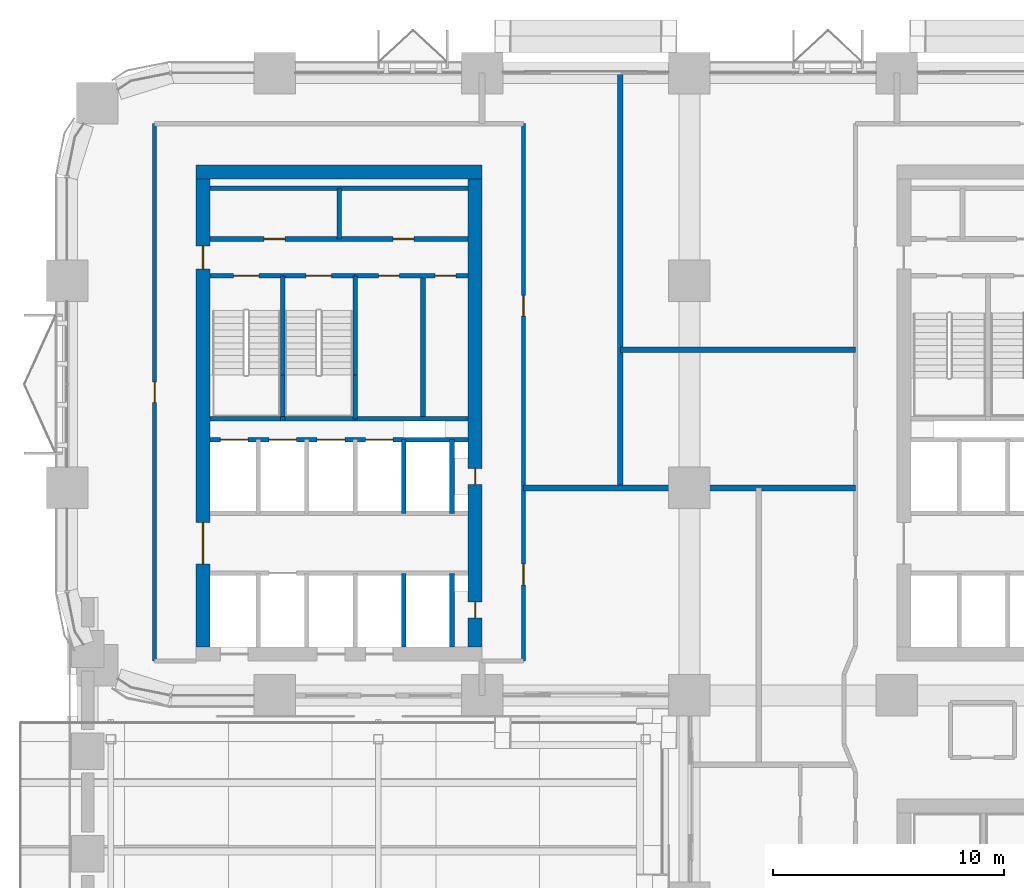
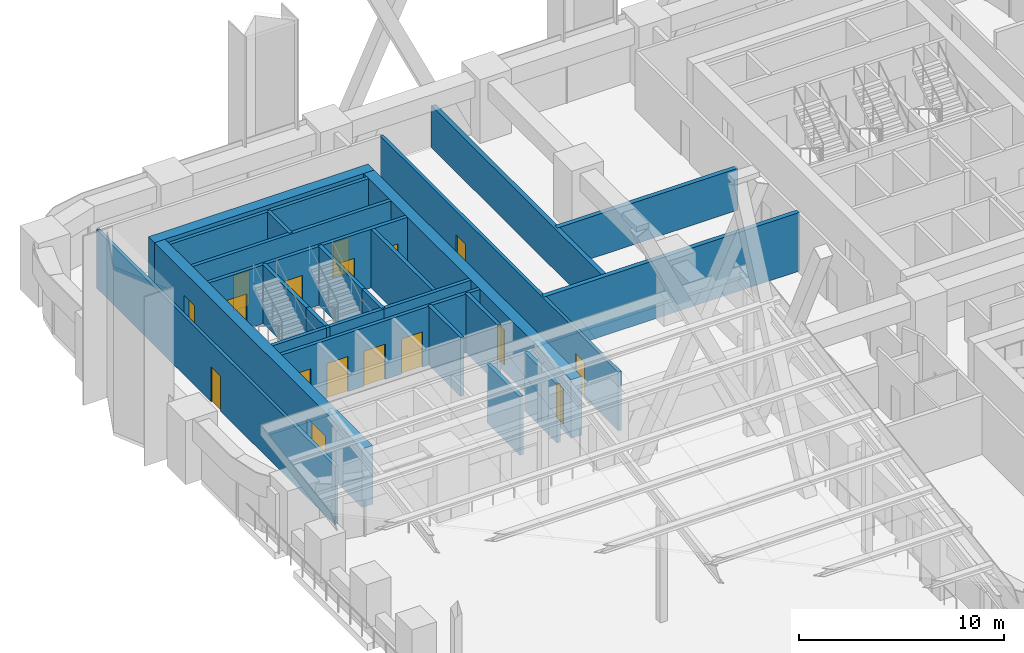
# One storey, part 15 of 22: 27 walls, 17 doors, 17 openings.
"""IFC4 building model written with IfcOpenShell, lengths in metres."""

from ifc_helpers import new_model, si_unit, direction, frame, frame_2d, origin, place, context, subcontext, project, spatial, rectangle, extrude, material, layer, layer_set, type_object, element, fill, save


model = new_model("IFC4")

# Units and contexts
model_context = context("Model", 3, precision=1e-05, world=origin(), true_north=direction((0.0, 1.0)))
body_context = subcontext(model_context, "Body", "Model", "MODEL_VIEW")
ifc_project = project(units=[si_unit("LENGTHUNIT", "METRE"), si_unit("AREAUNIT", "SQUARE_METRE"), si_unit("VOLUMEUNIT", "CUBIC_METRE"), si_unit("PLANEANGLEUNIT", "RADIAN"), si_unit("MASSUNIT", "GRAM", prefix="KILO")], contexts=[model_context])

# Site, building, storey
site_placement = place(None, origin())
site = spatial("IfcSite", under=ifc_project, at=site_placement, CompositionType="ELEMENT")
building_placement = place(site_placement, origin())
building = spatial("IfcBuilding", under=site, at=building_placement, Name="Tessera Arch", CompositionType="ELEMENT")
storey_placement = place(building_placement, frame((0.0, 0.0, 77.800048828125)))
storey = spatial("IfcBuildingStorey", under=building, at=storey_placement, Name="L17", CompositionType="ELEMENT", Elevation=77.800048828125)

# Walls
ifc_material_1 = material(Name="Gypsum board on steel stud", Category="steel")
ifc_layer_1 = layer(ifc_material_1, 0.125)
ifc_layer_set_1 = layer_set([ifc_layer_1], Name="Core partition 125 EI 60")
wall_type_1 = type_object("IfcWallType", Name="Core partition 125 EI 60", PredefinedType="PARTITIONING", material=ifc_layer_set_1)
wall_1_placement = place(storey_placement, frame((11.800048828125, 46.800048828125, 0.0), z_axis=(0.0, 0.0, 1.0), x_axis=(0.0, 1.0, 0.0)))
element("IfcWall", 1, at=wall_1_placement, inside=storey, type_object=wall_type_1, Name="L17 C2 partition wall 7", PredefinedType="PARTITIONING", context=body_context, shape_type="SweptSolid", body=[
    extrude(rectangle(XDim=2.199951171875, YDim=0.199951171875, at=frame_2d((1.10009765625, 0.0))), origin(), (0.0, 0.0, 1.0), 3.5),
])
wall_2_placement = place(storey_placement, frame((15.43994140625, 39.0, 0.0), z_axis=(0.0, 0.0, 1.0), x_axis=(0.0, 1.0, 0.0)))
element("IfcWall", 2, at=wall_2_placement, inside=storey, type_object=wall_type_1, Name="L17 C2 partition wall 14", PredefinedType="PARTITIONING", context=body_context, shape_type="SweptSolid", body=[
    extrude(rectangle(XDim=6.199951171875, YDim=0.199951171875, at=frame_2d((3.10009765625, 0.0))), origin(), (0.0, 0.0, 1.0), 3.5),
])

# Wall, openings, doors
wall_3_placement = place(storey_placement, frame((12.5, 45.199951171875, 0.0), z_axis=(0.0, 0.0, 1.0), x_axis=(1.0, 0.0, 0.0)))
wall_3 = element("IfcWall", 3, at=wall_3_placement, inside=storey, type_object=wall_type_1, Name="L17 C2 partition wall 24", PredefinedType="PARTITIONING", context=body_context, shape_type="SweptSolid", body=[
    extrude(rectangle(XDim=4.89990234375, YDim=0.199951171875, at=frame_2d((2.449951171875, 0.0))), origin(), (0.0, 0.0, 1.0), 3.5),
])
opening_1_placement = place(wall_3_placement, frame((1.02001953125, 0.0, 0.0)))
opening_1 = element("IfcOpeningElement", 4, at=opening_1_placement, cuts=wall_3, Name="Opening L17-C31", PredefinedType="OPENING", context=body_context, shape_type="SweptSolid", body=[
    extrude(rectangle(XDim=0.89990234375, YDim=2.10009765625, at=frame_2d((0.449951171875, 1.050048828125))), frame((0.0, 0.10986328125, 0.0), z_axis=(0.0, -1.0, 0.0), x_axis=(1.0, 0.0, 0.0)), (0.0, 0.0, 1.0), 0.219970703125),
])
opening_2_placement = place(wall_3_placement, frame((3.469970703125, 0.0, 0.0)))
opening_2 = element("IfcOpeningElement", 5, at=opening_2_placement, cuts=wall_3, Name="Opening L17-C32", PredefinedType="OPENING", context=body_context, shape_type="SweptSolid", body=[
    extrude(rectangle(XDim=0.89990234375, YDim=2.10009765625, at=frame_2d((0.449951171875, 1.050048828125))), frame((0.0, 0.10986328125, 0.0), z_axis=(0.0, -1.0, 0.0), x_axis=(1.0, 0.0, 0.0)), (0.0, 0.0, 1.0), 0.219970703125),
])
ifc_material_2 = material(Name="Steel door leaf", Category="steel")
door_type_1 = type_object("IfcDoorType", Name="Store door FD30S 900 x 2100", OperationType="SINGLE_SWING_LEFT", PredefinedType="DOOR", material=ifc_material_2)
door_1_placement = place(opening_1_placement, origin())
door_1 = element("IfcDoor", 6, at=door_1_placement, inside=storey, type_object=door_type_1, Name="L17 C2 door 17 C31 type D09", OperationType="SINGLE_SWING_LEFT", OverallHeight=2.10009765625, OverallWidth=0.89990234375, PredefinedType="DOOR", context=body_context, shape_type="SweptSolid", body=[
    extrude(rectangle(XDim=0.89990234375, YDim=2.10009765625, at=frame_2d((0.449951171875, 1.050048828125))), frame((0.0, 0.02490234375, 0.0), z_axis=(0.0, -1.0, 0.0), x_axis=(1.0, 0.0, 0.0)), (0.0, 0.0, 1.0), 0.050048828125),
])
fill(opening_1, door_1)
door_2_placement = place(opening_2_placement, origin())
door_2 = element("IfcDoor", 7, at=door_2_placement, inside=storey, type_object=door_type_1, Name="L17 C2 door 18 C32 type D09", OperationType="SINGLE_SWING_RIGHT", OverallHeight=2.10009765625, OverallWidth=0.89990234375, PredefinedType="DOOR", context=body_context, shape_type="SweptSolid", body=[
    extrude(rectangle(XDim=0.89990234375, YDim=2.10009765625, at=frame_2d((0.449951171875, 1.050048828125))), frame((0.0, 0.02490234375, 0.0), z_axis=(0.0, -1.0, 0.0), x_axis=(1.0, 0.0, 0.0)), (0.0, 0.0, 1.0), 0.050048828125),
])
fill(opening_2, door_2)

wall_4_placement = place(storey_placement, frame((6.199951171875, 46.800048828125, 0.0), z_axis=(0.0, 0.0, 1.0), x_axis=(1.0, 0.0, 0.0)))
wall_4 = element("IfcWall", 8, at=wall_4_placement, inside=storey, type_object=wall_type_1, Name="L17 C2 partition wall 26", PredefinedType="PARTITIONING", context=body_context, shape_type="SweptSolid", body=[
    extrude(rectangle(XDim=11.199951171875, YDim=0.199951171875, at=frame_2d((5.60009765625, 0.0))), origin(), (0.0, 0.0, 1.0), 3.5),
])
opening_3_placement = place(wall_4_placement, frame((2.35009765625, 0.0, 0.0)))
opening_3 = element("IfcOpeningElement", 9, at=opening_3_placement, cuts=wall_4, Name="Opening L17-C29", PredefinedType="OPENING", context=body_context, shape_type="SweptSolid", body=[
    extrude(rectangle(XDim=0.89990234375, YDim=2.10009765625, at=frame_2d((0.449951171875, 1.050048828125))), frame((0.0, 0.10986328125, 0.0), z_axis=(0.0, -1.0, 0.0), x_axis=(1.0, 0.0, 0.0)), (0.0, 0.0, 1.0), 0.219970703125),
])
opening_4_placement = place(wall_4_placement, frame((7.949951171875, 0.0, 0.0)))
opening_4 = element("IfcOpeningElement", 10, at=opening_4_placement, cuts=wall_4, Name="Opening L17-C30", PredefinedType="OPENING", context=body_context, shape_type="SweptSolid", body=[
    extrude(rectangle(XDim=0.89990234375, YDim=2.10009765625, at=frame_2d((0.449951171875, 1.050048828125))), frame((0.0, 0.10986328125, 0.0), z_axis=(0.0, -1.0, 0.0), x_axis=(1.0, 0.0, 0.0)), (0.0, 0.0, 1.0), 0.219970703125),
])
door_3_placement = place(opening_3_placement, origin())
door_3 = element("IfcDoor", 11, at=door_3_placement, inside=storey, type_object=door_type_1, Name="L17 C2 door 15 C29 type D09", OperationType="SINGLE_SWING_LEFT", OverallHeight=2.10009765625, OverallWidth=0.89990234375, PredefinedType="DOOR", context=body_context, shape_type="SweptSolid", body=[
    extrude(rectangle(XDim=0.89990234375, YDim=2.10009765625, at=frame_2d((0.449951171875, 1.050048828125))), frame((0.0, 0.02490234375, 0.0), z_axis=(0.0, -1.0, 0.0), x_axis=(1.0, 0.0, 0.0)), (0.0, 0.0, 1.0), 0.050048828125),
])
fill(opening_3, door_3)
door_4_placement = place(opening_4_placement, origin())
door_4 = element("IfcDoor", 12, at=door_4_placement, inside=storey, type_object=door_type_1, Name="L17 C2 door 16 C30 type D09", OperationType="SINGLE_SWING_RIGHT", OverallHeight=2.10009765625, OverallWidth=0.89990234375, PredefinedType="DOOR", context=body_context, shape_type="SweptSolid", body=[
    extrude(rectangle(XDim=0.89990234375, YDim=2.10009765625, at=frame_2d((0.449951171875, 1.050048828125))), frame((0.0, 0.02490234375, 0.0), z_axis=(0.0, -1.0, 0.0), x_axis=(1.0, 0.0, 0.0)), (0.0, 0.0, 1.0), 0.050048828125),
])
fill(opening_4, door_4)

# Walls
wall_5_placement = place(storey_placement, frame((6.199951171875, 49.0, 0.0), z_axis=(0.0, 0.0, 1.0), x_axis=(1.0, 0.0, 0.0)))
element("IfcWall", 13, at=wall_5_placement, inside=storey, type_object=wall_type_1, Name="L17 C2 partition wall 27", PredefinedType="PARTITIONING", context=body_context, shape_type="SweptSolid", body=[
    extrude(rectangle(XDim=11.199951171875, YDim=0.199951171875, at=frame_2d((5.60009765625, 0.0))), origin(), (0.0, 0.0, 1.0), 3.5),
])
ifc_material_3 = material(Name="Concrete C70/85", Category="concrete")
ifc_layer_2 = layer(ifc_material_3, 0.60009765625)
ifc_layer_set_2 = layer_set([ifc_layer_2], Name="Core shell wall 600 C70-85")
wall_type_2 = type_object("IfcWallType", Name="Core shell wall 600 C70-85", PredefinedType="SHEAR", material=ifc_layer_set_2)
wall_6_placement = place(storey_placement, frame((5.60009765625, 49.699951171875, 0.0), z_axis=(0.0, 0.0, 1.0), x_axis=(1.0, 0.0, 0.0)))
element("IfcWall", 14, at=wall_6_placement, inside=storey, type_object=wall_type_2, Name="L17 C2 core wall N", PredefinedType="SHEAR", context=body_context, shape_type="SweptSolid", body=[
    extrude(rectangle(XDim=12.39990234375, YDim=0.60009765625, at=frame_2d((6.199951171875, 0.0))), origin(), (0.0, 0.0, 1.0), 3.5),
])

# Wall, openings, doors
wall_7_placement = place(storey_placement, frame((5.89990234375, 29.10009765625, 0.0), z_axis=(0.0, 0.0, 1.0), x_axis=(0.0, 1.0, 0.0)))
wall_7 = element("IfcWall", 15, at=wall_7_placement, inside=storey, type_object=wall_type_2, Name="L17 C2 core wall W", PredefinedType="SHEAR", context=body_context, shape_type="SweptSolid", body=[
    extrude(rectangle(XDim=20.2998046875, YDim=0.60009765625, at=frame_2d((10.14990234375, 0.0))), origin(), (0.0, 0.0, 1.0), 3.5),
])
opening_5_placement = place(wall_7_placement, frame((3.60009765625, 0.0, 0.0)))
opening_5 = element("IfcOpeningElement", 16, at=opening_5_placement, cuts=wall_7, Name="Opening L17-C25", PredefinedType="OPENING", context=body_context, shape_type="SweptSolid", body=[
    extrude(rectangle(XDim=1.800048828125, YDim=2.10009765625, at=frame_2d((0.89990234375, 1.050048828125))), frame((0.0, 0.31005859375, 0.0), z_axis=(0.0, -1.0, 0.0), x_axis=(1.0, 0.0, 0.0)), (0.0, 0.0, 1.0), 0.6201171875),
])
opening_6_placement = place(wall_7_placement, frame((16.39990234375, 0.0, 0.0)))
opening_6 = element("IfcOpeningElement", 17, at=opening_6_placement, cuts=wall_7, Name="Opening L17-C28", PredefinedType="OPENING", context=body_context, shape_type="SweptSolid", body=[
    extrude(rectangle(XDim=1.0, YDim=2.10009765625, at=frame_2d((0.5, 1.050048828125))), frame((0.0, 0.31005859375, 0.0), z_axis=(0.0, -1.0, 0.0), x_axis=(1.0, 0.0, 0.0)), (0.0, 0.0, 1.0), 0.6201171875),
])
ifc_material_4 = material(Name="Steel door leaf", Category="steel")
door_type_2 = type_object("IfcDoorType", Name="Corridor door FD60 1000 x 2100", OperationType="SINGLE_SWING_LEFT", PredefinedType="DOOR", material=ifc_material_4)
door_5_placement = place(opening_6_placement, origin())
door_5 = element("IfcDoor", 18, at=door_5_placement, inside=storey, type_object=door_type_2, Name="L17 C2 door 14 C28 type D12", OperationType="SINGLE_SWING_RIGHT", OverallHeight=2.10009765625, OverallWidth=1.0, PredefinedType="DOOR", context=body_context, shape_type="SweptSolid", body=[
    extrude(rectangle(XDim=1.0, YDim=2.10009765625, at=frame_2d((0.5, 1.050048828125))), frame((0.0, 0.02490234375, 0.0), z_axis=(0.0, -1.0, 0.0), x_axis=(1.0, 0.0, 0.0)), (0.0, 0.0, 1.0), 0.050048828125),
])
fill(opening_6, door_5)
ifc_material_5 = material(Name="Glazed steel door leaf", Category="steel")
door_type_3 = type_object("IfcDoorType", Name="Lobby double door FD30S 1800 x 2100", OperationType="DOUBLE_DOOR_SINGLE_SWING", PredefinedType="DOOR", material=ifc_material_5)
door_6_placement = place(opening_5_placement, origin())
door_6 = element("IfcDoor", 19, at=door_6_placement, inside=storey, type_object=door_type_3, Name="L17 C2 door 11 C25 type D06", OperationType="DOUBLE_DOOR_SINGLE_SWING", OverallHeight=2.10009765625, OverallWidth=1.800048828125, PredefinedType="DOOR", context=body_context, shape_type="SweptSolid", body=[
    extrude(rectangle(XDim=1.800048828125, YDim=2.10009765625, at=frame_2d((0.89990234375, 1.050048828125))), frame((0.0, 0.02490234375, 0.0), z_axis=(0.0, -1.0, 0.0), x_axis=(1.0, 0.0, 0.0)), (0.0, 0.0, 1.0), 0.050048828125),
])
fill(opening_5, door_6)

wall_8_placement = place(storey_placement, frame((17.699951171875, 29.10009765625, 0.0), z_axis=(0.0, 0.0, 1.0), x_axis=(0.0, 1.0, 0.0)))
wall_8 = element("IfcWall", 20, at=wall_8_placement, inside=storey, type_object=wall_type_2, Name="L17 C2 core wall E", PredefinedType="SHEAR", context=body_context, shape_type="SweptSolid", body=[
    extrude(rectangle(XDim=20.2998046875, YDim=0.60009765625, at=frame_2d((10.14990234375, 0.0))), origin(), (0.0, 0.0, 1.0), 3.5),
])
opening_7_placement = place(wall_8_placement, frame((1.25, 0.0, 0.0)))
opening_7 = element("IfcOpeningElement", 21, at=opening_7_placement, cuts=wall_8, Name="Opening L17-C23", PredefinedType="OPENING", context=body_context, shape_type="SweptSolid", body=[
    extrude(rectangle(XDim=0.699951171875, YDim=2.10009765625, at=frame_2d((0.35009765625, 1.050048828125))), frame((0.0, 0.31005859375, 0.0), z_axis=(0.0, -1.0, 0.0), x_axis=(1.0, 0.0, 0.0)), (0.0, 0.0, 1.0), 0.6201171875),
])
opening_8_placement = place(wall_8_placement, frame((7.050048828125, 0.0, 0.0)))
opening_8 = element("IfcOpeningElement", 22, at=opening_8_placement, cuts=wall_8, Name="Opening L17-C24", PredefinedType="OPENING", context=body_context, shape_type="SweptSolid", body=[
    extrude(rectangle(XDim=0.699951171875, YDim=2.10009765625, at=frame_2d((0.35009765625, 1.050048828125))), frame((0.0, 0.31005859375, 0.0), z_axis=(0.0, -1.0, 0.0), x_axis=(1.0, 0.0, 0.0)), (0.0, 0.0, 1.0), 0.6201171875),
])
ifc_material_6 = material(Name="Steel door leaf", Category="steel")
door_type_4 = type_object("IfcDoorType", Name="Service shaft door FD60 700 x 2100", OperationType="SINGLE_SWING_LEFT", PredefinedType="DOOR", material=ifc_material_6)
door_7_placement = place(opening_7_placement, origin())
door_7 = element("IfcDoor", 23, at=door_7_placement, inside=storey, type_object=door_type_4, Name="L17 C2 door 9 C23 type D07", OperationType="SINGLE_SWING_LEFT", OverallHeight=2.10009765625, OverallWidth=0.699951171875, PredefinedType="DOOR", context=body_context, shape_type="SweptSolid", body=[
    extrude(rectangle(XDim=0.699951171875, YDim=2.10009765625, at=frame_2d((0.35009765625, 1.050048828125))), frame((0.0, 0.02490234375, 0.0), z_axis=(0.0, -1.0, 0.0), x_axis=(1.0, 0.0, 0.0)), (0.0, 0.0, 1.0), 0.050048828125),
])
fill(opening_7, door_7)
door_8_placement = place(opening_8_placement, origin())
door_8 = element("IfcDoor", 24, at=door_8_placement, inside=storey, type_object=door_type_4, Name="L17 C2 door 10 C24 type D07", OperationType="SINGLE_SWING_LEFT", OverallHeight=2.10009765625, OverallWidth=0.699951171875, PredefinedType="DOOR", context=body_context, shape_type="SweptSolid", body=[
    extrude(rectangle(XDim=0.699951171875, YDim=2.10009765625, at=frame_2d((0.35009765625, 1.050048828125))), frame((0.0, 0.02490234375, 0.0), z_axis=(0.0, -1.0, 0.0), x_axis=(1.0, 0.0, 0.0)), (0.0, 0.0, 1.0), 0.050048828125),
])
fill(opening_8, door_8)

# Wall, opening, door
ifc_material_7 = material(Name="Gypsum board on deep steel stud with mineral wool", Category="steel")
ifc_layer_3 = layer(ifc_material_7, 0.175048828125)
ifc_layer_set_3 = layer_set([ifc_layer_3], Name="Corridor wall 175 EI 60")
wall_type_3 = type_object("IfcWallType", Name="Corridor wall 175 EI 60", PredefinedType="PARTITIONING", material=ifc_layer_set_3)
wall_9_placement = place(storey_placement, frame((3.800048828125, 28.5, 0.0), z_axis=(0.0, 0.0, 1.0), x_axis=(0.0, 1.0, 0.0)))
wall_9 = element("IfcWall", 25, at=wall_9_placement, inside=storey, type_object=wall_type_3, Name="L17 partition 9", PredefinedType="PARTITIONING", context=body_context, shape_type="SweptSolid", body=[
    extrude(rectangle(XDim=23.300048828125, YDim=0.175048828125, at=frame_2d((11.64990234375, 0.0))), origin(), (0.0, 0.0, 1.0), 3.5),
])
opening_9_placement = place(wall_9_placement, frame((11.199951171875, 0.0, 0.0)))
opening_9 = element("IfcOpeningElement", 26, at=opening_9_placement, cuts=wall_9, Name="Opening L17-D012", PredefinedType="OPENING", context=body_context, shape_type="SweptSolid", body=[
    extrude(rectangle(XDim=0.89990234375, YDim=2.10009765625, at=frame_2d((0.449951171875, 1.050048828125))), frame((0.0, 0.097412109375, 0.0), z_axis=(0.0, -1.0, 0.0), x_axis=(1.0, 0.0, 0.0)), (0.0, 0.0, 1.0), 0.195068359375),
])
ifc_material_8 = material(Name="Timber door leaf", Category="wood")
door_type_5 = type_object("IfcDoorType", Name="Room door 900 x 2100", OperationType="SINGLE_SWING_LEFT", PredefinedType="DOOR", material=ifc_material_8)
door_9_placement = place(opening_9_placement, origin())
door_9 = element("IfcDoor", 27, at=door_9_placement, inside=storey, type_object=door_type_5, Name="L17 door D012 type D01", OperationType="SINGLE_SWING_RIGHT", OverallHeight=2.10009765625, OverallWidth=0.89990234375, PredefinedType="DOOR", context=body_context, shape_type="SweptSolid", body=[
    extrude(rectangle(XDim=0.89990234375, YDim=2.10009765625, at=frame_2d((0.449951171875, 1.050048828125))), frame((0.0, 0.02490234375, 0.0), z_axis=(0.0, -1.0, 0.0), x_axis=(1.0, 0.0, 0.0)), (0.0, 0.0, 1.0), 0.050048828125),
])
fill(opening_9, door_9)

# Wall, openings, doors
wall_10_placement = place(storey_placement, frame((19.800048828125, 28.5, 0.0), z_axis=(0.0, 0.0, 1.0), x_axis=(0.0, 1.0, 0.0)))
wall_10 = element("IfcWall", 28, at=wall_10_placement, inside=storey, type_object=wall_type_3, Name="L17 partition 10", PredefinedType="PARTITIONING", context=body_context, shape_type="SweptSolid", body=[
    extrude(rectangle(XDim=23.300048828125, YDim=0.175048828125, at=frame_2d((11.64990234375, 0.0))), origin(), (0.0, 0.0, 1.0), 3.5),
])
opening_10_placement = place(wall_10_placement, frame((3.300048828125, 0.0, 0.0)))
opening_10 = element("IfcOpeningElement", 29, at=opening_10_placement, cuts=wall_10, Name="Opening L17-D009", PredefinedType="OPENING", context=body_context, shape_type="SweptSolid", body=[
    extrude(rectangle(XDim=0.89990234375, YDim=2.10009765625, at=frame_2d((0.449951171875, 1.050048828125))), frame((0.0, 0.097412109375, 0.0), z_axis=(0.0, -1.0, 0.0), x_axis=(1.0, 0.0, 0.0)), (0.0, 0.0, 1.0), 0.195068359375),
])
opening_11_placement = place(wall_10_placement, frame((14.949951171875, 0.0, 0.0)))
opening_11 = element("IfcOpeningElement", 30, at=opening_11_placement, cuts=wall_10, Name="Opening L17-D013", PredefinedType="OPENING", context=body_context, shape_type="SweptSolid", body=[
    extrude(rectangle(XDim=0.89990234375, YDim=2.10009765625, at=frame_2d((0.449951171875, 1.050048828125))), frame((0.0, 0.097412109375, 0.0), z_axis=(0.0, -1.0, 0.0), x_axis=(1.0, 0.0, 0.0)), (0.0, 0.0, 1.0), 0.195068359375),
])
door_10_placement = place(opening_10_placement, origin())
door_10 = element("IfcDoor", 31, at=door_10_placement, inside=storey, type_object=door_type_5, Name="L17 door D009 type D01", OperationType="SINGLE_SWING_RIGHT", OverallHeight=2.10009765625, OverallWidth=0.89990234375, PredefinedType="DOOR", context=body_context, shape_type="SweptSolid", body=[
    extrude(rectangle(XDim=0.89990234375, YDim=2.10009765625, at=frame_2d((0.449951171875, 1.050048828125))), frame((0.0, 0.02490234375, 0.0), z_axis=(0.0, -1.0, 0.0), x_axis=(1.0, 0.0, 0.0)), (0.0, 0.0, 1.0), 0.050048828125),
])
fill(opening_10, door_10)
door_11_placement = place(opening_11_placement, origin())
door_11 = element("IfcDoor", 32, at=door_11_placement, inside=storey, type_object=door_type_5, Name="L17 door D013 type D01", OperationType="SINGLE_SWING_RIGHT", OverallHeight=2.10009765625, OverallWidth=0.89990234375, PredefinedType="DOOR", context=body_context, shape_type="SweptSolid", body=[
    extrude(rectangle(XDim=0.89990234375, YDim=2.10009765625, at=frame_2d((0.449951171875, 1.050048828125))), frame((0.0, 0.02490234375, 0.0), z_axis=(0.0, -1.0, 0.0), x_axis=(1.0, 0.0, 0.0)), (0.0, 0.0, 1.0), 0.050048828125),
])
fill(opening_11, door_11)

# Walls
ifc_material_9 = material(Name="Double gypsum board on twin steel stud with acoustic mineral wool", Category="steel")
ifc_layer_4 = layer(ifc_material_9, 0.25)
ifc_layer_set_4 = layer_set([ifc_layer_4], Name="Party wall 250 EI 60")
wall_type_4 = type_object("IfcWallType", Name="Party wall 250 EI 60", PredefinedType="PARTITIONING", material=ifc_layer_set_4)
wall_11_placement = place(storey_placement, frame((19.800048828125, 36.0, 0.0), z_axis=(0.0, 0.0, 1.0), x_axis=(1.0, 0.0, 0.0)))
element("IfcWall", 33, at=wall_11_placement, inside=storey, type_object=wall_type_4, Name="L17 partition 24", PredefinedType="PARTITIONING", context=body_context, shape_type="SweptSolid", body=[
    extrude(rectangle(XDim=14.39990234375, YDim=0.25, at=frame_2d((7.199951171875, 0.0))), origin(), (0.0, 0.0, 1.0), 3.5),
])
wall_12_placement = place(storey_placement, frame((24.0, 42.0, 0.0), z_axis=(0.0, 0.0, 1.0), x_axis=(1.0, 0.0, 0.0)))
element("IfcWall", 34, at=wall_12_placement, inside=storey, type_object=wall_type_4, Name="L17 partition 25", PredefinedType="PARTITIONING", context=body_context, shape_type="SweptSolid", body=[
    extrude(rectangle(XDim=10.199951171875, YDim=0.25, at=frame_2d((5.10009765625, 0.0))), origin(), (0.0, 0.0, 1.0), 2.5),
])
wall_13_placement = place(storey_placement, frame((24.0, 36.0, 0.0), z_axis=(0.0, 0.0, 1.0), x_axis=(0.0, 1.0, 0.0)))
element("IfcWall", 35, at=wall_13_placement, inside=storey, type_object=wall_type_4, Name="L17 partition 29", PredefinedType="PARTITIONING", context=body_context, shape_type="SweptSolid", body=[
    extrude(rectangle(XDim=18.0, YDim=0.25, at=frame_2d((9.0, 0.0))), origin(), (0.0, 0.0, 1.0), 2.5),
])
ifc_material_10 = material(Name="Concrete C40/50", Category="concrete")
ifc_layer_5 = layer(ifc_material_10, 0.199951171875)
ifc_layer_set_5 = layer_set([ifc_layer_5], Name="Shaft wall 200 EI 120")
wall_type_5 = type_object("IfcWallType", Name="Shaft wall 200 EI 120", PredefinedType="SOLIDWALL", material=ifc_layer_set_5)
wall_14_placement = place(storey_placement, frame((14.60009765625, 29.10009765625, 0.0), z_axis=(0.0, 0.0, 1.0), x_axis=(0.0, 1.0, 0.0)))
element("IfcWall", 36, at=wall_14_placement, inside=storey, type_object=wall_type_5, Name="L17 C2 shaft wall 12", PredefinedType="SOLIDWALL", context=body_context, shape_type="SweptSolid", body=[
    extrude(rectangle(XDim=3.199951171875, YDim=0.199951171875, at=frame_2d((1.60009765625, 0.0))), origin(), (0.0, 0.0, 1.0), 3.5),
])
wall_15_placement = place(storey_placement, frame((14.60009765625, 34.89990234375, 0.0), z_axis=(0.0, 0.0, 1.0), x_axis=(0.0, 1.0, 0.0)))
element("IfcWall", 37, at=wall_15_placement, inside=storey, type_object=wall_type_5, Name="L17 C2 shaft wall 13", PredefinedType="SOLIDWALL", context=body_context, shape_type="SweptSolid", body=[
    extrude(rectangle(XDim=3.2001953125, YDim=0.199951171875, at=frame_2d((1.60009765625, 0.0))), origin(), (0.0, 0.0, 1.0), 3.5),
])
wall_16_placement = place(storey_placement, frame((16.699951171875, 29.10009765625, 0.0), z_axis=(0.0, 0.0, 1.0), x_axis=(0.0, 1.0, 0.0)))
element("IfcWall", 38, at=wall_16_placement, inside=storey, type_object=wall_type_5, Name="L17 C2 shaft wall 15", PredefinedType="SOLIDWALL", context=body_context, shape_type="SweptSolid", body=[
    extrude(rectangle(XDim=3.199951171875, YDim=0.199951171875, at=frame_2d((1.60009765625, 0.0))), origin(), (0.0, 0.0, 1.0), 3.5),
])
wall_17_placement = place(storey_placement, frame((16.699951171875, 34.89990234375, 0.0), z_axis=(0.0, 0.0, 1.0), x_axis=(0.0, 1.0, 0.0)))
element("IfcWall", 39, at=wall_17_placement, inside=storey, type_object=wall_type_5, Name="L17 C2 shaft wall 16", PredefinedType="SOLIDWALL", context=body_context, shape_type="SweptSolid", body=[
    extrude(rectangle(XDim=3.2001953125, YDim=0.199951171875, at=frame_2d((1.60009765625, 0.0))), origin(), (0.0, 0.0, 1.0), 3.5),
])

# Wall, openings, doors
wall_18_placement = place(storey_placement, frame((6.199951171875, 38.10009765625, 0.0), z_axis=(0.0, 0.0, 1.0), x_axis=(1.0, 0.0, 0.0)))
wall_18 = element("IfcWall", 40, at=wall_18_placement, inside=storey, type_object=wall_type_5, Name="L17 C2 shaft wall 19", PredefinedType="SOLIDWALL", context=body_context, shape_type="SweptSolid", body=[
    extrude(rectangle(XDim=11.199951171875, YDim=0.199951171875, at=frame_2d((5.60009765625, 0.0))), origin(), (0.0, 0.0, 1.0), 3.5),
])
opening_12_placement = place(wall_18_placement, frame((0.449951171875, 0.0, 0.0)))
opening_12 = element("IfcOpeningElement", 41, at=opening_12_placement, cuts=wall_18, Name="Opening L17-C19", PredefinedType="OPENING", context=body_context, shape_type="SweptSolid", body=[
    extrude(rectangle(XDim=1.199951171875, YDim=2.10009765625, at=frame_2d((0.60009765625, 1.050048828125))), frame((0.0, 0.10986328125, 0.0), z_axis=(0.0, -1.0, 0.0), x_axis=(1.0, 0.0, 0.0)), (0.0, 0.0, 1.0), 0.219970703125),
])
opening_13_placement = place(wall_18_placement, frame((2.550048828125, 0.0, 0.0)))
opening_13 = element("IfcOpeningElement", 42, at=opening_13_placement, cuts=wall_18, Name="Opening L17-C20", PredefinedType="OPENING", context=body_context, shape_type="SweptSolid", body=[
    extrude(rectangle(XDim=1.199951171875, YDim=2.10009765625, at=frame_2d((0.60009765625, 1.050048828125))), frame((0.0, 0.10986328125, 0.0), z_axis=(0.0, -1.0, 0.0), x_axis=(1.0, 0.0, 0.0)), (0.0, 0.0, 1.0), 0.219970703125),
])
opening_14_placement = place(wall_18_placement, frame((4.64990234375, 0.0, 0.0)))
opening_14 = element("IfcOpeningElement", 43, at=opening_14_placement, cuts=wall_18, Name="Opening L17-C21", PredefinedType="OPENING", context=body_context, shape_type="SweptSolid", body=[
    extrude(rectangle(XDim=1.199951171875, YDim=2.10009765625, at=frame_2d((0.60009765625, 1.050048828125))), frame((0.0, 0.10986328125, 0.0), z_axis=(0.0, -1.0, 0.0), x_axis=(1.0, 0.0, 0.0)), (0.0, 0.0, 1.0), 0.219970703125),
])
opening_15_placement = place(wall_18_placement, frame((6.75, 0.0, 0.0)))
opening_15 = element("IfcOpeningElement", 44, at=opening_15_placement, cuts=wall_18, Name="Opening L17-C22", PredefinedType="OPENING", context=body_context, shape_type="SweptSolid", body=[
    extrude(rectangle(XDim=1.199951171875, YDim=2.10009765625, at=frame_2d((0.60009765625, 1.050048828125))), frame((0.0, 0.10986328125, 0.0), z_axis=(0.0, -1.0, 0.0), x_axis=(1.0, 0.0, 0.0)), (0.0, 0.0, 1.0), 0.219970703125),
])
ifc_material_11 = material(Name="Stainless steel AISI 304", Category="steel")
door_type_6 = type_object("IfcDoorType", Name="Sliding landing door 1200 x 2100", OperationType="SLIDING_TO_LEFT", PredefinedType="DOOR", material=ifc_material_11)
door_12_placement = place(opening_12_placement, origin())
door_12 = element("IfcDoor", 45, at=door_12_placement, inside=storey, type_object=door_type_6, Name="L17 LR5 lift landing door C19 type LD", OperationType="SLIDING_TO_LEFT", OverallHeight=2.10009765625, OverallWidth=1.199951171875, PredefinedType="DOOR", context=body_context, shape_type="SweptSolid", body=[
    extrude(rectangle(XDim=1.199951171875, YDim=2.10009765625, at=frame_2d((0.60009765625, 1.050048828125))), frame((0.0, 0.02490234375, 0.0), z_axis=(0.0, -1.0, 0.0), x_axis=(1.0, 0.0, 0.0)), (0.0, 0.0, 1.0), 0.050048828125),
])
fill(opening_12, door_12)
door_13_placement = place(opening_13_placement, origin())
door_13 = element("IfcDoor", 46, at=door_13_placement, inside=storey, type_object=door_type_6, Name="L17 LR6 lift landing door C20 type LD", OperationType="SLIDING_TO_LEFT", OverallHeight=2.10009765625, OverallWidth=1.199951171875, PredefinedType="DOOR", context=body_context, shape_type="SweptSolid", body=[
    extrude(rectangle(XDim=1.199951171875, YDim=2.10009765625, at=frame_2d((0.60009765625, 1.050048828125))), frame((0.0, 0.02490234375, 0.0), z_axis=(0.0, -1.0, 0.0), x_axis=(1.0, 0.0, 0.0)), (0.0, 0.0, 1.0), 0.050048828125),
])
fill(opening_13, door_13)
door_14_placement = place(opening_14_placement, origin())
door_14 = element("IfcDoor", 47, at=door_14_placement, inside=storey, type_object=door_type_6, Name="L17 LR7 lift landing door C21 type LD", OperationType="SLIDING_TO_LEFT", OverallHeight=2.10009765625, OverallWidth=1.199951171875, PredefinedType="DOOR", context=body_context, shape_type="SweptSolid", body=[
    extrude(rectangle(XDim=1.199951171875, YDim=2.10009765625, at=frame_2d((0.60009765625, 1.050048828125))), frame((0.0, 0.02490234375, 0.0), z_axis=(0.0, -1.0, 0.0), x_axis=(1.0, 0.0, 0.0)), (0.0, 0.0, 1.0), 0.050048828125),
])
fill(opening_14, door_14)
door_15_placement = place(opening_15_placement, origin())
door_15 = element("IfcDoor", 48, at=door_15_placement, inside=storey, type_object=door_type_6, Name="L17 LR8 lift landing door C22 type LD", OperationType="SLIDING_TO_LEFT", OverallHeight=2.10009765625, OverallWidth=1.199951171875, PredefinedType="DOOR", context=body_context, shape_type="SweptSolid", body=[
    extrude(rectangle(XDim=1.199951171875, YDim=2.10009765625, at=frame_2d((0.60009765625, 1.050048828125))), frame((0.0, 0.02490234375, 0.0), z_axis=(0.0, -1.0, 0.0), x_axis=(1.0, 0.0, 0.0)), (0.0, 0.0, 1.0), 0.050048828125),
])
fill(opening_15, door_15)

# Walls
wall_19_placement = place(storey_placement, frame((12.5, 39.0, 0.0), z_axis=(0.0, 0.0, 1.0), x_axis=(1.0, 0.0, 0.0)))
element("IfcWall", 49, at=wall_19_placement, inside=storey, type_object=wall_type_5, Name="L17 C2 shaft wall 20", PredefinedType="SOLIDWALL", context=body_context, shape_type="SweptSolid", body=[
    extrude(rectangle(XDim=4.89990234375, YDim=0.199951171875, at=frame_2d((2.449951171875, 0.0))), origin(), (0.0, 0.0, 1.0), 3.5),
])
ifc_material_12 = material(Name="Concrete C40/50", Category="concrete")
ifc_layer_6 = layer(ifc_material_12, 0.199951171875)
ifc_layer_set_6 = layer_set([ifc_layer_6], Name="Stair well wall 200 REI 180")
wall_type_6 = type_object("IfcWallType", Name="Stair well wall 200 REI 180", PredefinedType="SOLIDWALL", material=ifc_layer_set_6)
wall_20_placement = place(storey_placement, frame((9.35009765625, 39.0, 0.0), z_axis=(0.0, 0.0, 1.0), x_axis=(0.0, 1.0, 0.0)))
element("IfcWall", 50, at=wall_20_placement, inside=storey, type_object=wall_type_6, Name="L17 C2 shaft wall 3", PredefinedType="SOLIDWALL", context=body_context, shape_type="SweptSolid", body=[
    extrude(rectangle(XDim=1.89990234375, YDim=0.199951171875, at=frame_2d((0.949951171875, 0.0))), origin(), (0.0, 0.0, 1.0), 3.5),
])
wall_21_placement = place(storey_placement, frame((9.35009765625, 40.89990234375, 0.0), z_axis=(0.0, 0.0, 1.0), x_axis=(0.0, 1.0, 0.0)))
element("IfcWall", 51, at=wall_21_placement, inside=storey, type_object=wall_type_6, Name="L17 C2 shaft wall 4", PredefinedType="SOLIDWALL", context=body_context, shape_type="SweptSolid", body=[
    extrude(rectangle(XDim=4.300048828125, YDim=0.199951171875, at=frame_2d((2.14990234375, 0.0))), origin(), (0.0, 0.0, 1.0), 3.5),
])
wall_22_placement = place(storey_placement, frame((12.5, 39.0, 0.0), z_axis=(0.0, 0.0, 1.0), x_axis=(0.0, 1.0, 0.0)))
element("IfcWall", 52, at=wall_22_placement, inside=storey, type_object=wall_type_6, Name="L17 C2 shaft wall 10", PredefinedType="SOLIDWALL", context=body_context, shape_type="SweptSolid", body=[
    extrude(rectangle(XDim=1.89990234375, YDim=0.199951171875, at=frame_2d((0.949951171875, 0.0))), origin(), (0.0, 0.0, 1.0), 3.5),
])
wall_23_placement = place(storey_placement, frame((12.5, 40.89990234375, 0.0), z_axis=(0.0, 0.0, 1.0), x_axis=(0.0, 1.0, 0.0)))
element("IfcWall", 53, at=wall_23_placement, inside=storey, type_object=wall_type_6, Name="L17 C2 shaft wall 11", PredefinedType="SOLIDWALL", context=body_context, shape_type="SweptSolid", body=[
    extrude(rectangle(XDim=4.300048828125, YDim=0.199951171875, at=frame_2d((2.14990234375, 0.0))), origin(), (0.0, 0.0, 1.0), 3.5),
])
wall_24_placement = place(storey_placement, frame((6.199951171875, 39.0, 0.0), z_axis=(0.0, 0.0, 1.0), x_axis=(1.0, 0.0, 0.0)))
element("IfcWall", 54, at=wall_24_placement, inside=storey, type_object=wall_type_6, Name="L17 C2 shaft wall 21", PredefinedType="SOLIDWALL", context=body_context, shape_type="SweptSolid", body=[
    extrude(rectangle(XDim=3.050048828125, YDim=0.199951171875, at=frame_2d((1.52490234375, 0.0))), origin(), (0.0, 0.0, 1.0), 3.5),
])
wall_25_placement = place(storey_placement, frame((9.25, 39.0, 0.0), z_axis=(0.0, 0.0, 1.0), x_axis=(1.0, 0.0, 0.0)))
element("IfcWall", 55, at=wall_25_placement, inside=storey, type_object=wall_type_6, Name="L17 C2 shaft wall 22", PredefinedType="SOLIDWALL", context=body_context, shape_type="SweptSolid", body=[
    extrude(rectangle(XDim=0.199951171875, YDim=0.199951171875, at=frame_2d((0.10009765625, 0.0))), origin(), (0.0, 0.0, 1.0), 3.5),
])
wall_26_placement = place(storey_placement, frame((9.449951171875, 39.0, 0.0), z_axis=(0.0, 0.0, 1.0), x_axis=(1.0, 0.0, 0.0)))
element("IfcWall", 56, at=wall_26_placement, inside=storey, type_object=wall_type_6, Name="L17 C2 shaft wall 23", PredefinedType="SOLIDWALL", context=body_context, shape_type="SweptSolid", body=[
    extrude(rectangle(XDim=3.050048828125, YDim=0.199951171875, at=frame_2d((1.52490234375, 0.0))), origin(), (0.0, 0.0, 1.0), 3.5),
])

# Wall, openings, doors
wall_27_placement = place(storey_placement, frame((6.199951171875, 45.199951171875, 0.0), z_axis=(0.0, 0.0, 1.0), x_axis=(1.0, 0.0, 0.0)))
wall_27 = element("IfcWall", 57, at=wall_27_placement, inside=storey, type_object=wall_type_6, Name="L17 C2 shaft wall 25", PredefinedType="SOLIDWALL", context=body_context, shape_type="SweptSolid", body=[
    extrude(rectangle(XDim=6.300048828125, YDim=0.199951171875, at=frame_2d((3.14990234375, 0.0))), origin(), (0.0, 0.0, 1.0), 3.5),
])
opening_16_placement = place(wall_27_placement, frame((1.02490234375, 0.0, 0.0)))
opening_16 = element("IfcOpeningElement", 58, at=opening_16_placement, cuts=wall_27, Name="Opening L17-C26", PredefinedType="OPENING", context=body_context, shape_type="SweptSolid", body=[
    extrude(rectangle(XDim=1.10009765625, YDim=2.10009765625, at=frame_2d((0.550048828125, 1.050048828125))), frame((0.0, 0.10986328125, 0.0), z_axis=(0.0, -1.0, 0.0), x_axis=(1.0, 0.0, 0.0)), (0.0, 0.0, 1.0), 0.219970703125),
])
opening_17_placement = place(wall_27_placement, frame((4.175048828125, 0.0, 0.0)))
opening_17 = element("IfcOpeningElement", 59, at=opening_17_placement, cuts=wall_27, Name="Opening L17-C27", PredefinedType="OPENING", context=body_context, shape_type="SweptSolid", body=[
    extrude(rectangle(XDim=1.10009765625, YDim=2.10009765625, at=frame_2d((0.550048828125, 1.050048828125))), frame((0.0, 0.10986328125, 0.0), z_axis=(0.0, -1.0, 0.0), x_axis=(1.0, 0.0, 0.0)), (0.0, 0.0, 1.0), 0.219970703125),
])
ifc_material_13 = material(Name="Steel door leaf", Category="steel")
door_type_7 = type_object("IfcDoorType", Name="Stair door FD60 1100 x 2100", OperationType="SINGLE_SWING_LEFT", PredefinedType="DOOR", material=ifc_material_13)
door_16_placement = place(opening_16_placement, origin())
door_16 = element("IfcDoor", 60, at=door_16_placement, inside=storey, type_object=door_type_7, Name="L17 C2 door 12 C26 type D05", OperationType="SINGLE_SWING_LEFT", OverallHeight=2.10009765625, OverallWidth=1.10009765625, PredefinedType="DOOR", context=body_context, shape_type="SweptSolid", body=[
    extrude(rectangle(XDim=1.10009765625, YDim=2.10009765625, at=frame_2d((0.550048828125, 1.050048828125))), frame((0.0, 0.02490234375, 0.0), z_axis=(0.0, -1.0, 0.0), x_axis=(1.0, 0.0, 0.0)), (0.0, 0.0, 1.0), 0.050048828125),
])
fill(opening_16, door_16)
door_17_placement = place(opening_17_placement, origin())
door_17 = element("IfcDoor", 61, at=door_17_placement, inside=storey, type_object=door_type_7, Name="L17 C2 door 13 C27 type D05", OperationType="SINGLE_SWING_RIGHT", OverallHeight=2.10009765625, OverallWidth=1.10009765625, PredefinedType="DOOR", context=body_context, shape_type="SweptSolid", body=[
    extrude(rectangle(XDim=1.10009765625, YDim=2.10009765625, at=frame_2d((0.550048828125, 1.050048828125))), frame((0.0, 0.02490234375, 0.0), z_axis=(0.0, -1.0, 0.0), x_axis=(1.0, 0.0, 0.0)), (0.0, 0.0, 1.0), 0.050048828125),
])
fill(opening_17, door_17)

save(model, "model.ifc")
